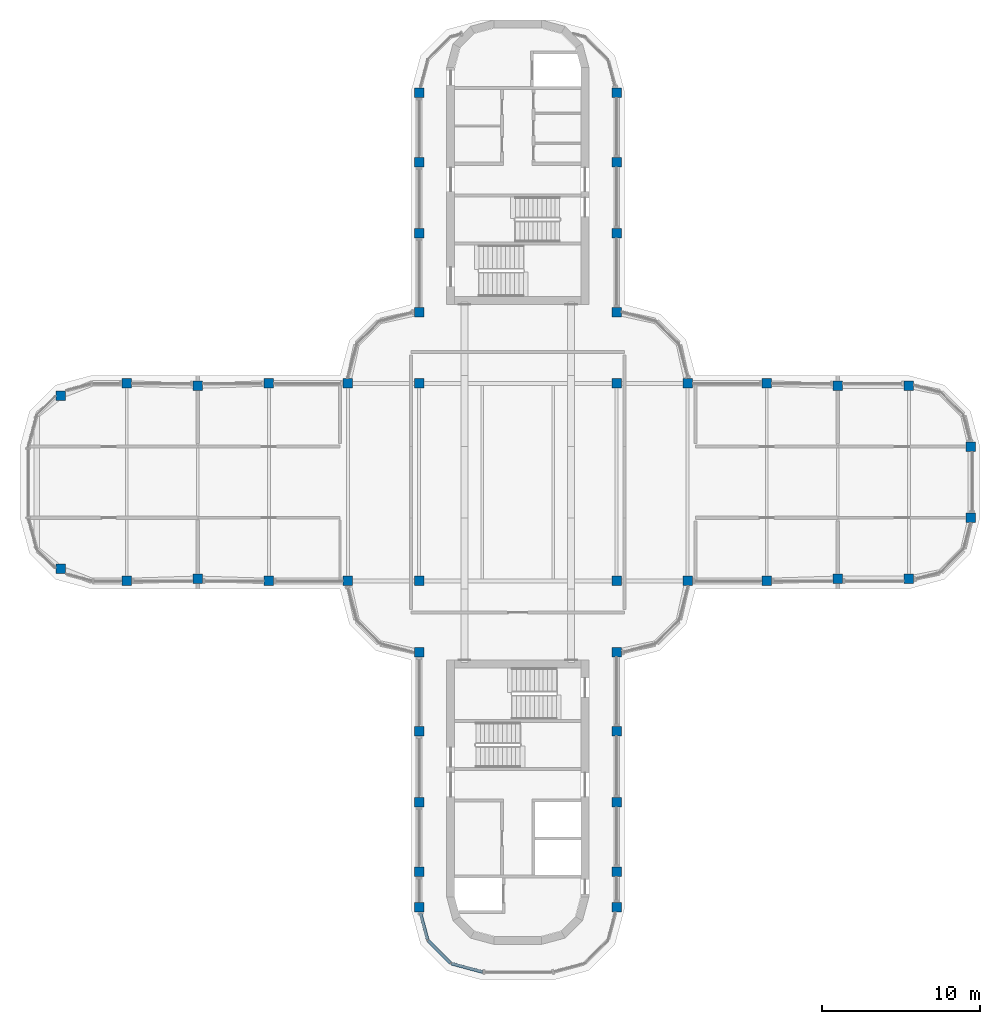
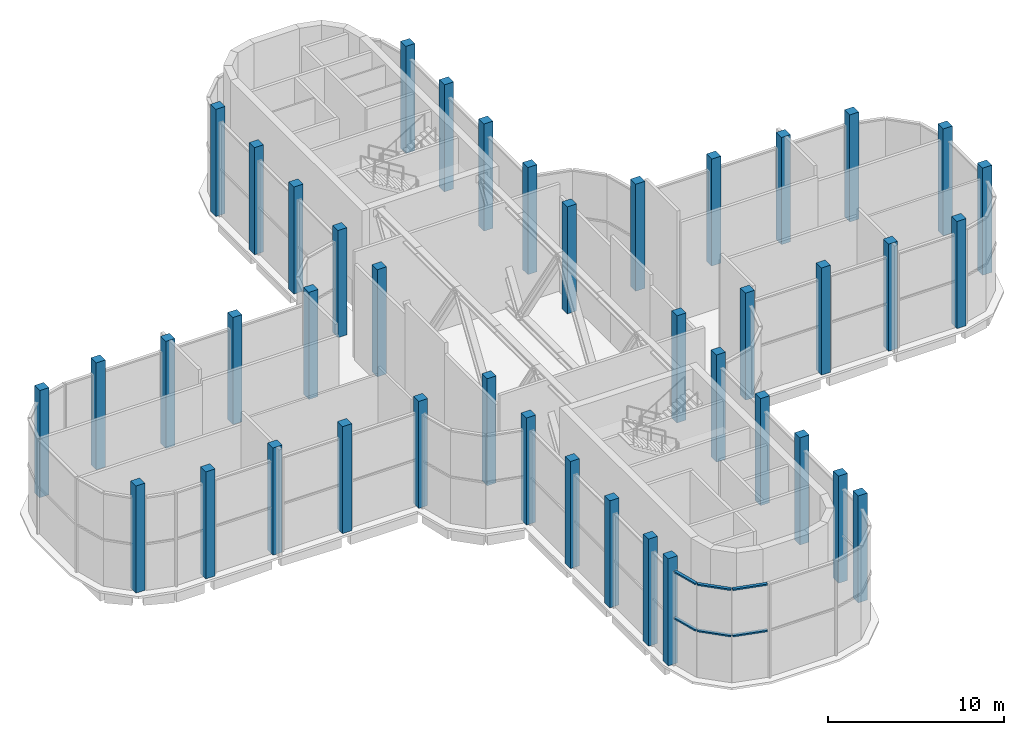
# One storey, part 1 of 15: 42 columns, 6 members, 3 elements without a shape of their own.
"""IFC4 building model written with IfcOpenShell, lengths in metres."""

from ifc_helpers import new_model, si_unit, direction, frame, origin, origin_2d, place, context, subcontext, project, spatial, polyline, rectangle, outline, extrude, source, transform, mapped, material, material_profile, profile_set, type_object, element, aggregate, save


model = new_model("IFC4")

# Units and contexts
model_context = context("Model", 3, precision=1e-05, world=origin(), true_north=direction((0.0, 1.0)))
body_context = subcontext(model_context, "Body", "Model", "MODEL_VIEW")
ifc_project = project(units=[si_unit("LENGTHUNIT", "METRE"), si_unit("AREAUNIT", "SQUARE_METRE"), si_unit("VOLUMEUNIT", "CUBIC_METRE"), si_unit("PLANEANGLEUNIT", "RADIAN"), si_unit("MASSUNIT", "GRAM", prefix="KILO")], contexts=[model_context])

# Site, building, storey
site_placement = place(None, origin())
site = spatial("IfcSite", under=ifc_project, at=site_placement, CompositionType="ELEMENT")
building_placement = place(site_placement, origin())
building = spatial("IfcBuilding", under=site, at=building_placement, Name="Zarbagh Exchange Tower", CompositionType="ELEMENT")
storey_placement = place(building_placement, frame((0.0, 0.0, 284.0)))
storey = spatial("IfcBuildingStorey", under=building, at=storey_placement, Name="L70", CompositionType="ELEMENT", Elevation=284.0)

# Columns
ifc_material_1 = material(Name="Concrete C40/50", Category="concrete")
ifc_material_profile = material_profile(ifc_material_1, rectangle(XDim=0.60009765625, YDim=0.60009765625, at=origin_2d()), Name="RC column 600 x 600 C40/50")
ifc_profile_set = profile_set([ifc_material_profile], Name="Concrete C40/50")
column_type = type_object("IfcColumnType", Name="RC column 600 x 600 C40/50", PredefinedType="COLUMN", material=ifc_profile_set)
for number, where, z_axis, x_axis, name in (
    (1, (-28.907958984375, -5.47509765625, 0.0), (0.0, 0.0, 1.0), (1.0, 0.0, 0.0), "C6 11/R"),
    (2, (-28.907958984375, 5.47509765625, 0.0), (0.0, 0.0, 1.0), (1.0, 0.0, 0.0), "C6 11/U"),
    (3, (-24.75, -6.25, 0.0), (0.0, 0.0, 1.0), (1.0, 0.0, 0.0), "C6 12/R"),
    (4, (-24.75, 6.25, 0.0), (0.0, 0.0, 1.0), (1.0, 0.0, 0.0), "C6 12/U"),
    (5, (-20.25, -6.110107421875, 0.0), (0.0, 0.0, 1.0), (1.0, 0.0, 0.0), "C6 13/R"),
    (6, (-20.25, 6.110107421875, 0.0), (0.0, 0.0, 1.0), (1.0, 0.0, 0.0), "C6 13/U"),
    (7, (-15.75, -6.25, 0.0), (0.0, 0.0, 1.0), (1.0, 0.0, 0.0), "C6 14/R"),
    (8, (-15.75, 6.25, 0.0), (0.0, 0.0, 1.0), (1.0, 0.0, 0.0), "C6 14/U"),
    (9, (-10.75, -6.25, 0.0), (0.0, 0.0, 1.0), (1.0, 0.0, 0.0), "C6 15/R"),
    (10, (-10.75, 6.25, 0.0), (0.0, 0.0, 1.0), (1.0, 0.0, 0.0), "C6 15/U"),
    (11, (-6.25, -26.89990234375, 0.0), (0.0, 0.0, 1.0), (1.0, 0.0, 0.0), "C6 16/L"),
    (12, (-6.25, -24.64990234375, 0.0), (0.0, 0.0, 1.0), (1.0, 0.0, 0.0), "C6 16/M"),
    (13, (-6.25, -20.25, 0.0), (0.0, 0.0, 1.0), (1.0, 0.0, 0.0), "C6 16/N"),
    (14, (-6.25, -15.75, 0.0), (0.0, 0.0, 1.0), (1.0, 0.0, 0.0), "C6 16/P"),
    (15, (-6.25, -10.75, 0.0), (0.0, 0.0, 1.0), (1.0, 0.0, 0.0), "C6 16/Q"),
    (16, (-6.25, -6.25, 0.0), (0.0, 0.0, 1.0), (1.0, 0.0, 0.0), "C6 16/R"),
    (17, (-6.25, 6.25, 0.0), (0.0, 0.0, 1.0), (1.0, 0.0, 0.0), "C6 16/U"),
    (18, (-6.25, 10.75, 0.0), (0.0, 0.0, 1.0), (1.0, 0.0, 0.0), "C6 16/V"),
    (19, (-6.25, 15.75, 0.0), (0.0, 0.0, 1.0), (1.0, 0.0, 0.0), "C6 16/W"),
    (20, (-6.25, 20.25, 0.0), (0.0, 0.0, 1.0), (1.0, 0.0, 0.0), "C6 16/X"),
    (21, (-6.25, 24.64990234375, 0.0), (0.0, 0.0, 1.0), (1.0, 0.0, 0.0), "C6 16/Y"),
    (22, (6.25, -26.89990234375, 0.0), (0.0, 0.0, 1.0), (1.0, 0.0, 0.0), "C6 19/L"),
    (23, (6.25, -24.64990234375, 0.0), (0.0, 0.0, 1.0), (1.0, 0.0, 0.0), "C6 19/M"),
    (24, (6.25, -20.25, 0.0), (0.0, 0.0, 1.0), (1.0, 0.0, 0.0), "C6 19/N"),
    (25, (6.25, -15.75, 0.0), (0.0, 0.0, 1.0), (1.0, 0.0, 0.0), "C6 19/P"),
    (26, (6.25, -10.75, 0.0), (0.0, 0.0, 1.0), (1.0, 0.0, 0.0), "C6 19/Q"),
    (27, (6.25, -6.25, 0.0), (0.0, 0.0, 1.0), (1.0, 0.0, 0.0), "C6 19/R"),
    (28, (6.25, 6.25, 0.0), (0.0, 0.0, 1.0), (1.0, 0.0, 0.0), "C6 19/U"),
    (29, (6.25, 10.75, 0.0), (0.0, 0.0, 1.0), (1.0, 0.0, 0.0), "C6 19/V"),
    (30, (6.25, 15.75, 0.0), (0.0, 0.0, 1.0), (1.0, 0.0, 0.0), "C6 19/W"),
    (31, (6.25, 20.25, 0.0), (0.0, 0.0, 1.0), (1.0, 0.0, 0.0), "C6 19/X"),
    (32, (6.25, 24.64990234375, 0.0), (0.0, 0.0, 1.0), (1.0, 0.0, 0.0), "C6 19/Y"),
    (33, (10.75, -6.25, 0.0), (0.0, 0.0, 1.0), (1.0, 0.0, 0.0), "C6 20/R"),
    (34, (10.75, 6.25, 0.0), (0.0, 0.0, 1.0), (1.0, 0.0, 0.0), "C6 20/U"),
    (35, (15.75, -6.25, 0.0), (0.0, 0.0, 1.0), (1.0, 0.0, 0.0), "C6 21/R"),
    (36, (15.75, 6.25, 0.0), (0.0, 0.0, 1.0), (1.0, 0.0, 0.0), "C6 21/U"),
    (37, (20.25, -6.110107421875, 0.0), (0.0, 0.0, 1.0), (1.0, 0.0, 0.0), "C6 22/R"),
    (38, (20.25, 6.110107421875, 0.0), (0.0, 0.0, 1.0), (1.0, 0.0, 0.0), "C6 22/U"),
    (39, (24.75, -6.110107421875, 0.0), (0.0, 0.0, 1.0), (1.0, 0.0, 0.0), "C6 23/R"),
    (40, (24.75, 6.110107421875, 0.0), (0.0, 0.0, 1.0), (1.0, 0.0, 0.0), "C6 23/U"),
    (41, (28.669921875, -2.25, 0.0), (0.0, 0.0, 1.0), (1.0, 0.0, 0.0), "C6 24/S"),
    (42, (28.669921875, 2.25, 0.0), (0.0, 0.0, 1.0), (1.0, 0.0, 0.0), "C6 24/T"),
):
    element("IfcColumn", number, at=place(storey_placement, frame(where, z_axis=z_axis, x_axis=x_axis)), inside=storey, type_object=column_type, Name=name, PredefinedType="COLUMN", context=body_context, shape_type="SweptSolid", body=[
        extrude(rectangle(XDim=0.60009765625, YDim=0.60009765625, at=origin_2d()), origin(), (0.0, 0.0, 1.0), 7.449951171875),
    ])

# Curtain wall, members
ifc_material_2 = material(Name="Anodised aluminium frame and glazing", Category="aluminium")
curtain_wall_type = type_object("IfcCurtainWallType", Name="CWE Damper-floor glazed wall", PredefinedType="NOTDEFINED", material=ifc_material_2)
curtain_wall_1_placement = place(storey_placement, origin())
curtain_wall_1 = element("IfcCurtainWall", 43, at=curtain_wall_1_placement, inside=storey, type_object=curtain_wall_type, Name="CWE46 curtain wall", PredefinedType="NOTDEFINED")
ifc_material_3 = material(Name="Anodised aluminium frame", Category="aluminium")
member_type = type_object("IfcMemberType", Name="TRE Transom, anodised aluminium frame", PredefinedType="USERDEFINED", material=ifc_material_3)
shared_shape_1 = source(origin(), body_context, "Body", "SweptSolid", [
    extrude(outline(polyline([(-0.10009765625, -0.10009765625), (0.0, -0.10009765625), (0.0, 0.10009765625), (-0.10009765625, 0.10009765625), (-0.10009765625, -0.10009765625)])), origin(), (0.0, 0.0, 1.0), 2.049560546875),
])
placement = place(storey_placement, origin())
member_1 = element("IfcMember", 44, at=placement, type_object=member_type, Name="CWE46 transom 1.1", ObjectType="TRANSOM", PredefinedType="USERDEFINED", context=body_context, shape_type="MappedRepresentation", body=[
    mapped(shared_shape_1, transform((-4.20263671875, -30.459228515625, 6.550048828125), x_axis=(0.0, 0.0, 1.0), y_axis=(-0.258824779902, -0.965924289636, 0.0), z_axis=(0.965924289636, -0.258824779902, 0.0))),
])
shared_shape_2 = source(origin(), body_context, "Body", "SweptSolid", [
    extrude(outline(polyline([(-0.050048828125, -0.10009765625), (0.050048828125, -0.10009765625), (0.050048828125, 0.10009765625), (-0.050048828125, 0.10009765625), (-0.050048828125, -0.10009765625)])), origin(), (0.0, 0.0, 1.0), 2.049560546875),
])
member_2 = element("IfcMember", 45, at=placement, type_object=member_type, Name="CWE46 mid transom 1", ObjectType="TRANSOM", PredefinedType="USERDEFINED", context=body_context, shape_type="MappedRepresentation", body=[
    mapped(shared_shape_2, transform((-4.20263671875, -30.459228515625, 3.27490234375), x_axis=(0.0, 0.0, 1.0), y_axis=(-0.258824779902, -0.965924289636, 0.0), z_axis=(0.965924289636, -0.258824779902, 0.0))),
])
aggregate(curtain_wall_1, [member_1, member_2])

curtain_wall_2_placement = place(storey_placement, origin())
curtain_wall_2 = element("IfcCurtainWall", 46, at=curtain_wall_2_placement, inside=storey, type_object=curtain_wall_type, Name="CWE45 curtain wall", PredefinedType="NOTDEFINED")
shared_shape_3 = source(origin(), body_context, "Body", "SweptSolid", [
    extrude(outline(polyline([(-0.10009765625, -0.10009765625), (0.0, -0.10009765625), (0.0, 0.10009765625), (-0.10009765625, 0.10009765625), (-0.10009765625, -0.10009765625)])), origin(), (0.0, 0.0, 1.0), 1.9814453125),
])
member_3 = element("IfcMember", 47, at=placement, type_object=member_type, Name="CWE45 transom 1.1", ObjectType="TRANSOM", PredefinedType="USERDEFINED", context=body_context, shape_type="MappedRepresentation", body=[
    mapped(shared_shape_3, transform((-5.67041015625, -29.01953125, 6.550048828125), x_axis=(0.0, 0.0, 1.0), y_axis=(-0.707106781187, -0.707106781187, 0.0), z_axis=(0.707106781187, -0.707106781187, 0.0))),
])
shared_shape_4 = source(origin(), body_context, "Body", "SweptSolid", [
    extrude(outline(polyline([(-0.050048828125, -0.10009765625), (0.050048828125, -0.10009765625), (0.050048828125, 0.10009765625), (-0.050048828125, 0.10009765625), (-0.050048828125, -0.10009765625)])), origin(), (0.0, 0.0, 1.0), 1.9814453125),
])
member_4 = element("IfcMember", 48, at=placement, type_object=member_type, Name="CWE45 mid transom 1", ObjectType="TRANSOM", PredefinedType="USERDEFINED", context=body_context, shape_type="MappedRepresentation", body=[
    mapped(shared_shape_4, transform((-5.67041015625, -29.01953125, 3.27490234375), x_axis=(0.0, 0.0, 1.0), y_axis=(-0.707106781187, -0.707106781187, 0.0), z_axis=(0.707106781187, -0.707106781187, 0.0))),
])
aggregate(curtain_wall_2, [member_3, member_4])

curtain_wall_3_placement = place(storey_placement, origin())
curtain_wall_3 = element("IfcCurtainWall", 49, at=curtain_wall_3_placement, inside=storey, type_object=curtain_wall_type, Name="CWE44 curtain wall", PredefinedType="NOTDEFINED")
shared_shape_5 = source(origin(), body_context, "Body", "SweptSolid", [
    extrude(outline(polyline([(-0.10009765625, -0.10009765625), (0.0, -0.10009765625), (0.0, 0.10009765625), (-0.10009765625, 0.10009765625), (-0.10009765625, -0.10009765625)])), origin(), (0.0, 0.0, 1.0), 1.73291015625),
])
member_5 = element("IfcMember", 50, at=placement, type_object=member_type, Name="CWE44 transom 1.1", ObjectType="TRANSOM", PredefinedType="USERDEFINED", context=body_context, shape_type="MappedRepresentation", body=[
    mapped(shared_shape_5, transform((-6.15771484375, -27.278564453125, 6.550048828125), x_axis=(0.0, 0.0, 1.0), y_axis=(-0.965924289636, -0.258824779902, 0.0), z_axis=(0.258824779902, -0.965924289636, 0.0))),
])
shared_shape_6 = source(origin(), body_context, "Body", "SweptSolid", [
    extrude(outline(polyline([(-0.050048828125, -0.10009765625), (0.050048828125, -0.10009765625), (0.050048828125, 0.10009765625), (-0.050048828125, 0.10009765625), (-0.050048828125, -0.10009765625)])), origin(), (0.0, 0.0, 1.0), 1.73291015625),
])
member_6 = element("IfcMember", 51, at=placement, type_object=member_type, Name="CWE44 mid transom 1", ObjectType="TRANSOM", PredefinedType="USERDEFINED", context=body_context, shape_type="MappedRepresentation", body=[
    mapped(shared_shape_6, transform((-6.15771484375, -27.278564453125, 3.27490234375), x_axis=(0.0, 0.0, 1.0), y_axis=(-0.965924289636, -0.258824779902, 0.0), z_axis=(0.258824779902, -0.965924289636, 0.0))),
])
aggregate(curtain_wall_3, [member_5, member_6])

save(model, "model.ifc")
